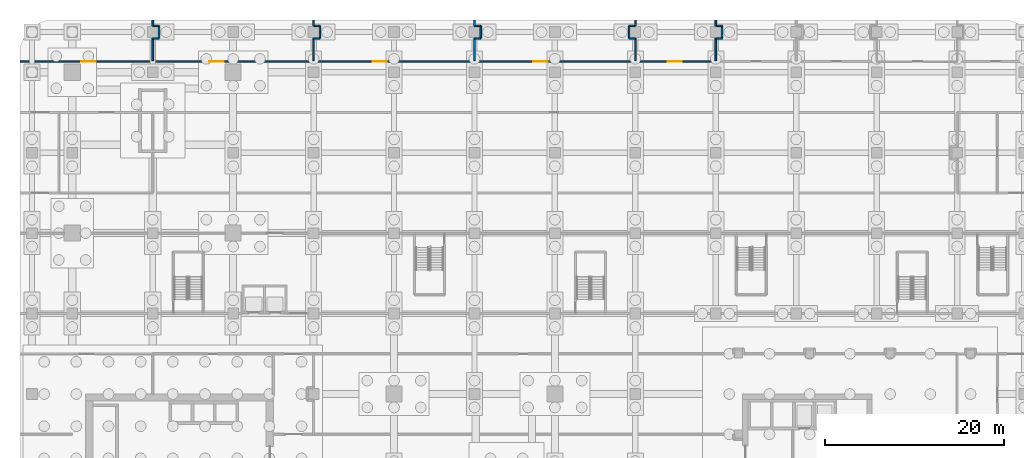
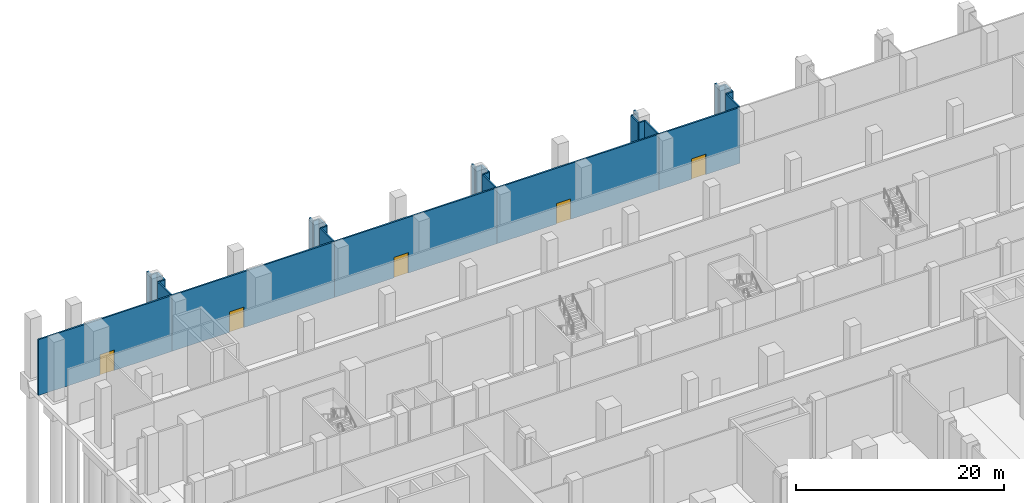
# One storey, part 16 of 23: 30 walls, 5 doors, 5 openings.
"""IFC4 building model written with IfcOpenShell, lengths in metres."""

from ifc_helpers import new_model, si_unit, direction, frame, frame_2d, origin, place, context, subcontext, project, spatial, rectangle, extrude, material, layer, layer_set, type_object, element, fill, save


model = new_model("IFC4")

# Units and contexts
model_context = context("Model", 3, precision=1e-05, world=origin(), true_north=direction((0.0, 1.0)))
body_context = subcontext(model_context, "Body", "Model", "MODEL_VIEW")
ifc_project = project(units=[si_unit("LENGTHUNIT", "METRE"), si_unit("AREAUNIT", "SQUARE_METRE"), si_unit("VOLUMEUNIT", "CUBIC_METRE"), si_unit("PLANEANGLEUNIT", "RADIAN"), si_unit("MASSUNIT", "GRAM", prefix="KILO")], contexts=[model_context])

# Site, building, storey
site_placement = place(None, origin())
site = spatial("IfcSite", under=ifc_project, at=site_placement, CompositionType="ELEMENT")
building_placement = place(site_placement, origin())
building = spatial("IfcBuilding", under=site, at=building_placement, Name="Plateau Cross Towers", CompositionType="ELEMENT")
storey_placement = place(building_placement, frame((0.0, 0.0, -7.0)))
storey = spatial("IfcBuildingStorey", under=building, at=storey_placement, Name="B1", CompositionType="ELEMENT", Elevation=-7.0)

# Wall, opening, door
ifc_material_1 = material(Name="Dense masonry block, plastered, acoustic lining", Category="masonry")
ifc_layer = layer(ifc_material_1, 0.179931640625)
ifc_layer_set = layer_set([ifc_layer], Name="Dense masonry block, plastered, acoustic lining")
wall_type = type_object("IfcWallType", Name="Plant room acoustic wall 180", PredefinedType="PARTITIONING", material=ifc_layer_set)
wall_1_placement = place(storey_placement, frame((45.0, 55.199951171875, 0.0), z_axis=(0.0, 0.0, 1.0), x_axis=(1.0, 0.0, 0.0)))
wall_1 = element("IfcWall", 1, at=wall_1_placement, inside=storey, type_object=wall_type, Name="Partition wall", PredefinedType="PARTITIONING", context=body_context, shape_type="SweptSolid", body=[
    extrude(rectangle(XDim=18.0, YDim=0.179931640625, at=frame_2d((9.0, 0.0))), origin(), (0.0, 0.0, 1.0), 6.550048828125),
])
opening_1_placement = place(wall_1_placement, frame((6.60009765625, 0.0, 0.0)))
opening_1 = element("IfcOpeningElement", 2, at=opening_1_placement, cuts=wall_1, Name="Opening B1-23", PredefinedType="OPENING", context=body_context, shape_type="SweptSolid", body=[
    extrude(rectangle(XDim=1.60009765625, YDim=2.39990234375, at=frame_2d((0.800048828125, 1.199951171875))), frame((0.0, 0.099853515625, 0.0), z_axis=(0.0, -1.0, 0.0), x_axis=(1.0, 0.0, 0.0)), (0.0, 0.0, 1.0), 0.199951171875),
])
ifc_material_2 = material(Name="Steel, fire-resisting double leaf with louvre panel", Category="steel")
door_type = type_object("IfcDoorType", Name="Plant room double door 1600x2400", OperationType="NOTDEFINED", PredefinedType="DOOR", material=ifc_material_2)
door_1_placement = place(opening_1_placement, origin())
door_1 = element("IfcDoor", 3, at=door_1_placement, inside=storey, type_object=door_type, Name="Door B1-23", OperationType="SINGLE_SWING_LEFT", OverallHeight=2.39990234375, OverallWidth=1.60009765625, PredefinedType="DOOR", context=body_context, shape_type="SweptSolid", body=[
    extrude(rectangle(XDim=1.60009765625, YDim=2.39990234375, at=frame_2d((0.800048828125, 1.199951171875))), frame((0.0, 0.02490234375, 0.0), z_axis=(0.0, -1.0, 0.0), x_axis=(1.0, 0.0, 0.0)), (0.0, 0.0, 1.0), 0.050048828125),
])
fill(opening_1, door_1)

wall_2_placement = place(storey_placement, frame((27.0, 55.199951171875, 0.0), z_axis=(0.0, 0.0, 1.0), x_axis=(1.0, 0.0, 0.0)))
wall_2 = element("IfcWall", 4, at=wall_2_placement, inside=storey, type_object=wall_type, Name="Partition wall", PredefinedType="PARTITIONING", context=body_context, shape_type="SweptSolid", body=[
    extrude(rectangle(XDim=18.0, YDim=0.179931640625, at=frame_2d((9.0, 0.0))), origin(), (0.0, 0.0, 1.0), 6.550048828125),
])
opening_2_placement = place(wall_2_placement, frame((6.60009765625, 0.0, 0.0)))
opening_2 = element("IfcOpeningElement", 5, at=opening_2_placement, cuts=wall_2, Name="Opening B1-22", PredefinedType="OPENING", context=body_context, shape_type="SweptSolid", body=[
    extrude(rectangle(XDim=1.60009765625, YDim=2.39990234375, at=frame_2d((0.800048828125, 1.199951171875))), frame((0.0, 0.099853515625, 0.0), z_axis=(0.0, -1.0, 0.0), x_axis=(1.0, 0.0, 0.0)), (0.0, 0.0, 1.0), 0.199951171875),
])
door_2_placement = place(opening_2_placement, origin())
door_2 = element("IfcDoor", 6, at=door_2_placement, inside=storey, type_object=door_type, Name="Door B1-22", OperationType="SINGLE_SWING_LEFT", OverallHeight=2.39990234375, OverallWidth=1.60009765625, PredefinedType="DOOR", context=body_context, shape_type="SweptSolid", body=[
    extrude(rectangle(XDim=1.60009765625, YDim=2.39990234375, at=frame_2d((0.800048828125, 1.199951171875))), frame((0.0, 0.02490234375, 0.0), z_axis=(0.0, -1.0, 0.0), x_axis=(1.0, 0.0, 0.0)), (0.0, 0.0, 1.0), 0.050048828125),
])
fill(opening_2, door_2)

wall_3_placement = place(storey_placement, frame((9.0, 55.199951171875, 0.0), z_axis=(0.0, 0.0, 1.0), x_axis=(1.0, 0.0, 0.0)))
wall_3 = element("IfcWall", 7, at=wall_3_placement, inside=storey, type_object=wall_type, Name="Partition wall", PredefinedType="PARTITIONING", context=body_context, shape_type="SweptSolid", body=[
    extrude(rectangle(XDim=18.0, YDim=0.179931640625, at=frame_2d((9.0, 0.0))), origin(), (0.0, 0.0, 1.0), 6.550048828125),
])
opening_3_placement = place(wall_3_placement, frame((6.35009765625, 0.0, 0.0)))
opening_3 = element("IfcOpeningElement", 8, at=opening_3_placement, cuts=wall_3, Name="Opening B1-21", PredefinedType="OPENING", context=body_context, shape_type="SweptSolid", body=[
    extrude(rectangle(XDim=1.60009765625, YDim=2.39990234375, at=frame_2d((0.800048828125, 1.199951171875))), frame((0.0, 0.099853515625, 0.0), z_axis=(0.0, -1.0, 0.0), x_axis=(1.0, 0.0, 0.0)), (0.0, 0.0, 1.0), 0.199951171875),
])
door_3_placement = place(opening_3_placement, origin())
door_3 = element("IfcDoor", 9, at=door_3_placement, inside=storey, type_object=door_type, Name="Door B1-21", OperationType="SINGLE_SWING_LEFT", OverallHeight=2.39990234375, OverallWidth=1.60009765625, PredefinedType="DOOR", context=body_context, shape_type="SweptSolid", body=[
    extrude(rectangle(XDim=1.60009765625, YDim=2.39990234375, at=frame_2d((0.800048828125, 1.199951171875))), frame((0.0, 0.02490234375, 0.0), z_axis=(0.0, -1.0, 0.0), x_axis=(1.0, 0.0, 0.0)), (0.0, 0.0, 1.0), 0.050048828125),
])
fill(opening_3, door_3)

wall_4_placement = place(storey_placement, frame((-5.85009765625, 55.199951171875, 0.0), z_axis=(0.0, 0.0, 1.0), x_axis=(1.0, 0.0, 0.0)))
wall_4 = element("IfcWall", 10, at=wall_4_placement, inside=storey, type_object=wall_type, Name="Partition wall", PredefinedType="PARTITIONING", context=body_context, shape_type="SweptSolid", body=[
    extrude(rectangle(XDim=14.85009765625, YDim=0.179931640625, at=frame_2d((7.425048828125, 0.0))), origin(), (0.0, 0.0, 1.0), 6.550048828125),
])
opening_4_placement = place(wall_4_placement, frame((6.85009765625, 0.0, 0.0)))
opening_4 = element("IfcOpeningElement", 11, at=opening_4_placement, cuts=wall_4, Name="Opening B1-20", PredefinedType="OPENING", context=body_context, shape_type="SweptSolid", body=[
    extrude(rectangle(XDim=1.60009765625, YDim=2.39990234375, at=frame_2d((0.800048828125, 1.199951171875))), frame((0.0, 0.099853515625, 0.0), z_axis=(0.0, -1.0, 0.0), x_axis=(1.0, 0.0, 0.0)), (0.0, 0.0, 1.0), 0.199951171875),
])
door_4_placement = place(opening_4_placement, origin())
door_4 = element("IfcDoor", 12, at=door_4_placement, inside=storey, type_object=door_type, Name="Door B1-20", OperationType="SINGLE_SWING_LEFT", OverallHeight=2.39990234375, OverallWidth=1.60009765625, PredefinedType="DOOR", context=body_context, shape_type="SweptSolid", body=[
    extrude(rectangle(XDim=1.60009765625, YDim=2.39990234375, at=frame_2d((0.800048828125, 1.199951171875))), frame((0.0, 0.02490234375, 0.0), z_axis=(0.0, -1.0, 0.0), x_axis=(1.0, 0.0, 0.0)), (0.0, 0.0, 1.0), 0.050048828125),
])
fill(opening_4, door_4)

wall_5_placement = place(storey_placement, frame((63.0, 55.199951171875, 0.0), z_axis=(0.0, 0.0, 1.0), x_axis=(1.0, 0.0, 0.0)))
wall_5 = element("IfcWall", 13, at=wall_5_placement, inside=storey, type_object=wall_type, Name="Partition wall", PredefinedType="PARTITIONING", context=body_context, shape_type="SweptSolid", body=[
    extrude(rectangle(XDim=9.0, YDim=0.179931640625, at=frame_2d((4.5, 0.0))), origin(), (0.0, 0.0, 1.0), 6.550048828125),
])
opening_5_placement = place(wall_5_placement, frame((3.60009765625, 0.0, 0.0)))
opening_5 = element("IfcOpeningElement", 14, at=opening_5_placement, cuts=wall_5, Name="Opening B1-24", PredefinedType="OPENING", context=body_context, shape_type="SweptSolid", body=[
    extrude(rectangle(XDim=1.60009765625, YDim=2.39990234375, at=frame_2d((0.800048828125, 1.199951171875))), frame((0.0, 0.099853515625, 0.0), z_axis=(0.0, -1.0, 0.0), x_axis=(1.0, 0.0, 0.0)), (0.0, 0.0, 1.0), 0.199951171875),
])
door_5_placement = place(opening_5_placement, origin())
door_5 = element("IfcDoor", 15, at=door_5_placement, inside=storey, type_object=door_type, Name="Door B1-24", OperationType="SINGLE_SWING_LEFT", OverallHeight=2.39990234375, OverallWidth=1.60009765625, PredefinedType="DOOR", context=body_context, shape_type="SweptSolid", body=[
    extrude(rectangle(XDim=1.60009765625, YDim=2.39990234375, at=frame_2d((0.800048828125, 1.199951171875))), frame((0.0, 0.02490234375, 0.0), z_axis=(0.0, -1.0, 0.0), x_axis=(1.0, 0.0, 0.0)), (0.0, 0.0, 1.0), 0.050048828125),
])
fill(opening_5, door_5)

# Walls
wall_6_placement = place(storey_placement, frame((63.0, 59.85009765625, 0.0), z_axis=(0.0, 0.0, 1.0), x_axis=(0.0, -1.0, 0.0)))
element("IfcWall", 16, at=wall_6_placement, inside=storey, type_object=wall_type, Name="Partition wall", PredefinedType="PARTITIONING", context=body_context, shape_type="SweptSolid", body=[
    extrude(rectangle(XDim=0.650146484375, YDim=0.179931640625, at=frame_2d((0.3251953125, 0.0))), origin(), (0.0, 0.0, 1.0), 6.550048828125),
])
wall_7_placement = place(storey_placement, frame((63.0, 59.199951171875, 0.0), z_axis=(0.0, 0.0, 1.0), x_axis=(-1.0, 0.0, 0.0)))
element("IfcWall", 17, at=wall_7_placement, inside=storey, type_object=wall_type, Name="Partition wall", PredefinedType="PARTITIONING", context=body_context, shape_type="SweptSolid", body=[
    extrude(rectangle(XDim=0.699951171875, YDim=0.179931640625, at=frame_2d((0.35009765625, 0.0))), origin(), (0.0, 0.0, 1.0), 6.550048828125),
])
wall_8_placement = place(storey_placement, frame((62.300048828125, 59.199951171875, 0.0), z_axis=(0.0, 0.0, 1.0), x_axis=(0.0, -1.0, 0.0)))
element("IfcWall", 18, at=wall_8_placement, inside=storey, type_object=wall_type, Name="Partition wall", PredefinedType="PARTITIONING", context=body_context, shape_type="SweptSolid", body=[
    extrude(rectangle(XDim=1.39990234375, YDim=0.179931640625, at=frame_2d((0.699951171875, 0.0))), origin(), (0.0, 0.0, 1.0), 6.550048828125),
])
wall_9_placement = place(storey_placement, frame((62.300048828125, 57.800048828125, 0.0), z_axis=(0.0, 0.0, 1.0), x_axis=(1.0, 0.0, 0.0)))
element("IfcWall", 19, at=wall_9_placement, inside=storey, type_object=wall_type, Name="Partition wall", PredefinedType="PARTITIONING", context=body_context, shape_type="SweptSolid", body=[
    extrude(rectangle(XDim=0.699951171875, YDim=0.179931640625, at=frame_2d((0.35009765625, 0.0))), origin(), (0.0, 0.0, 1.0), 6.550048828125),
])
wall_10_placement = place(storey_placement, frame((63.0, 57.800048828125, 0.0), z_axis=(0.0, 0.0, 1.0), x_axis=(0.0, -1.0, 0.0)))
element("IfcWall", 20, at=wall_10_placement, inside=storey, type_object=wall_type, Name="Partition wall", PredefinedType="PARTITIONING", context=body_context, shape_type="SweptSolid", body=[
    extrude(rectangle(XDim=2.5, YDim=0.179931640625, at=frame_2d((1.25, 0.0))), origin(), (0.0, 0.0, 1.0), 6.550048828125),
])
wall_11_placement = place(storey_placement, frame((45.0, 59.85009765625, 0.0), z_axis=(0.0, 0.0, 1.0), x_axis=(0.0, -1.0, 0.0)))
element("IfcWall", 21, at=wall_11_placement, inside=storey, type_object=wall_type, Name="Partition wall", PredefinedType="PARTITIONING", context=body_context, shape_type="SweptSolid", body=[
    extrude(rectangle(XDim=0.650146484375, YDim=0.179931640625, at=frame_2d((0.3251953125, 0.0))), origin(), (0.0, 0.0, 1.0), 6.550048828125),
])
wall_12_placement = place(storey_placement, frame((45.0, 59.199951171875, 0.0), z_axis=(0.0, 0.0, 1.0), x_axis=(1.0, 0.0, 0.0)))
element("IfcWall", 22, at=wall_12_placement, inside=storey, type_object=wall_type, Name="Partition wall", PredefinedType="PARTITIONING", context=body_context, shape_type="SweptSolid", body=[
    extrude(rectangle(XDim=0.699951171875, YDim=0.179931640625, at=frame_2d((0.35009765625, 0.0))), origin(), (0.0, 0.0, 1.0), 6.550048828125),
])
wall_13_placement = place(storey_placement, frame((45.699951171875, 59.199951171875, 0.0), z_axis=(0.0, 0.0, 1.0), x_axis=(0.0, -1.0, 0.0)))
element("IfcWall", 23, at=wall_13_placement, inside=storey, type_object=wall_type, Name="Partition wall", PredefinedType="PARTITIONING", context=body_context, shape_type="SweptSolid", body=[
    extrude(rectangle(XDim=1.39990234375, YDim=0.179931640625, at=frame_2d((0.699951171875, 0.0))), origin(), (0.0, 0.0, 1.0), 6.550048828125),
])
wall_14_placement = place(storey_placement, frame((45.699951171875, 57.800048828125, 0.0), z_axis=(0.0, 0.0, 1.0), x_axis=(-1.0, 0.0, 0.0)))
element("IfcWall", 24, at=wall_14_placement, inside=storey, type_object=wall_type, Name="Partition wall", PredefinedType="PARTITIONING", context=body_context, shape_type="SweptSolid", body=[
    extrude(rectangle(XDim=0.699951171875, YDim=0.179931640625, at=frame_2d((0.35009765625, 0.0))), origin(), (0.0, 0.0, 1.0), 6.550048828125),
])
wall_15_placement = place(storey_placement, frame((45.0, 57.800048828125, 0.0), z_axis=(0.0, 0.0, 1.0), x_axis=(0.0, -1.0, 0.0)))
element("IfcWall", 25, at=wall_15_placement, inside=storey, type_object=wall_type, Name="Partition wall", PredefinedType="PARTITIONING", context=body_context, shape_type="SweptSolid", body=[
    extrude(rectangle(XDim=2.5, YDim=0.179931640625, at=frame_2d((1.25, 0.0))), origin(), (0.0, 0.0, 1.0), 6.550048828125),
])
wall_16_placement = place(storey_placement, frame((27.0, 59.85009765625, 0.0), z_axis=(0.0, 0.0, 1.0), x_axis=(0.0, -1.0, 0.0)))
element("IfcWall", 26, at=wall_16_placement, inside=storey, type_object=wall_type, Name="Partition wall", PredefinedType="PARTITIONING", context=body_context, shape_type="SweptSolid", body=[
    extrude(rectangle(XDim=0.650146484375, YDim=0.179931640625, at=frame_2d((0.3251953125, 0.0))), origin(), (0.0, 0.0, 1.0), 6.550048828125),
])
wall_17_placement = place(storey_placement, frame((27.0, 59.199951171875, 0.0), z_axis=(0.0, 0.0, 1.0), x_axis=(1.0, 0.0, 0.0)))
element("IfcWall", 27, at=wall_17_placement, inside=storey, type_object=wall_type, Name="Partition wall", PredefinedType="PARTITIONING", context=body_context, shape_type="SweptSolid", body=[
    extrude(rectangle(XDim=0.699951171875, YDim=0.179931640625, at=frame_2d((0.35009765625, 0.0))), origin(), (0.0, 0.0, 1.0), 6.550048828125),
])
wall_18_placement = place(storey_placement, frame((27.699951171875, 59.199951171875, 0.0), z_axis=(0.0, 0.0, 1.0), x_axis=(0.0, -1.0, 0.0)))
element("IfcWall", 28, at=wall_18_placement, inside=storey, type_object=wall_type, Name="Partition wall", PredefinedType="PARTITIONING", context=body_context, shape_type="SweptSolid", body=[
    extrude(rectangle(XDim=1.39990234375, YDim=0.179931640625, at=frame_2d((0.699951171875, 0.0))), origin(), (0.0, 0.0, 1.0), 6.550048828125),
])
wall_19_placement = place(storey_placement, frame((27.699951171875, 57.800048828125, 0.0), z_axis=(0.0, 0.0, 1.0), x_axis=(-1.0, 0.0, 0.0)))
element("IfcWall", 29, at=wall_19_placement, inside=storey, type_object=wall_type, Name="Partition wall", PredefinedType="PARTITIONING", context=body_context, shape_type="SweptSolid", body=[
    extrude(rectangle(XDim=0.699951171875, YDim=0.179931640625, at=frame_2d((0.35009765625, 0.0))), origin(), (0.0, 0.0, 1.0), 6.550048828125),
])
wall_20_placement = place(storey_placement, frame((27.0, 57.800048828125, 0.0), z_axis=(0.0, 0.0, 1.0), x_axis=(0.0, -1.0, 0.0)))
element("IfcWall", 30, at=wall_20_placement, inside=storey, type_object=wall_type, Name="Partition wall", PredefinedType="PARTITIONING", context=body_context, shape_type="SweptSolid", body=[
    extrude(rectangle(XDim=2.5, YDim=0.179931640625, at=frame_2d((1.25, 0.0))), origin(), (0.0, 0.0, 1.0), 6.550048828125),
])
wall_21_placement = place(storey_placement, frame((9.0, 59.85009765625, 0.0), z_axis=(0.0, 0.0, 1.0), x_axis=(0.0, -1.0, 0.0)))
element("IfcWall", 31, at=wall_21_placement, inside=storey, type_object=wall_type, Name="Partition wall", PredefinedType="PARTITIONING", context=body_context, shape_type="SweptSolid", body=[
    extrude(rectangle(XDim=0.650146484375, YDim=0.179931640625, at=frame_2d((0.3251953125, 0.0))), origin(), (0.0, 0.0, 1.0), 6.550048828125),
])
wall_22_placement = place(storey_placement, frame((9.0, 59.199951171875, 0.0), z_axis=(0.0, 0.0, 1.0), x_axis=(1.0, 0.0, 0.0)))
element("IfcWall", 32, at=wall_22_placement, inside=storey, type_object=wall_type, Name="Partition wall", PredefinedType="PARTITIONING", context=body_context, shape_type="SweptSolid", body=[
    extrude(rectangle(XDim=0.699951171875, YDim=0.179931640625, at=frame_2d((0.35009765625, 0.0))), origin(), (0.0, 0.0, 1.0), 6.550048828125),
])
wall_23_placement = place(storey_placement, frame((9.699951171875, 59.199951171875, 0.0), z_axis=(0.0, 0.0, 1.0), x_axis=(0.0, -1.0, 0.0)))
element("IfcWall", 33, at=wall_23_placement, inside=storey, type_object=wall_type, Name="Partition wall", PredefinedType="PARTITIONING", context=body_context, shape_type="SweptSolid", body=[
    extrude(rectangle(XDim=1.39990234375, YDim=0.179931640625, at=frame_2d((0.699951171875, 0.0))), origin(), (0.0, 0.0, 1.0), 6.550048828125),
])
wall_24_placement = place(storey_placement, frame((9.699951171875, 57.800048828125, 0.0), z_axis=(0.0, 0.0, 1.0), x_axis=(-1.0, 0.0, 0.0)))
element("IfcWall", 34, at=wall_24_placement, inside=storey, type_object=wall_type, Name="Partition wall", PredefinedType="PARTITIONING", context=body_context, shape_type="SweptSolid", body=[
    extrude(rectangle(XDim=0.699951171875, YDim=0.179931640625, at=frame_2d((0.35009765625, 0.0))), origin(), (0.0, 0.0, 1.0), 6.550048828125),
])
wall_25_placement = place(storey_placement, frame((9.0, 57.800048828125, 0.0), z_axis=(0.0, 0.0, 1.0), x_axis=(0.0, -1.0, 0.0)))
element("IfcWall", 35, at=wall_25_placement, inside=storey, type_object=wall_type, Name="Partition wall", PredefinedType="PARTITIONING", context=body_context, shape_type="SweptSolid", body=[
    extrude(rectangle(XDim=2.5, YDim=0.179931640625, at=frame_2d((1.25, 0.0))), origin(), (0.0, 0.0, 1.0), 6.550048828125),
])
wall_26_placement = place(storey_placement, frame((72.0, 59.85009765625, 0.0), z_axis=(0.0, 0.0, 1.0), x_axis=(0.0, -1.0, 0.0)))
element("IfcWall", 36, at=wall_26_placement, inside=storey, type_object=wall_type, Name="Partition wall", PredefinedType="PARTITIONING", context=body_context, shape_type="SweptSolid", body=[
    extrude(rectangle(XDim=0.650146484375, YDim=0.179931640625, at=frame_2d((0.3251953125, 0.0))), origin(), (0.0, 0.0, 1.0), 6.550048828125),
])
wall_27_placement = place(storey_placement, frame((72.0, 59.199951171875, 0.0), z_axis=(0.0, 0.0, 1.0), x_axis=(1.0, 0.0, 0.0)))
element("IfcWall", 37, at=wall_27_placement, inside=storey, type_object=wall_type, Name="Partition wall", PredefinedType="PARTITIONING", context=body_context, shape_type="SweptSolid", body=[
    extrude(rectangle(XDim=0.699951171875, YDim=0.179931640625, at=frame_2d((0.35009765625, 0.0))), origin(), (0.0, 0.0, 1.0), 6.550048828125),
])
wall_28_placement = place(storey_placement, frame((72.699951171875, 59.199951171875, 0.0), z_axis=(0.0, 0.0, 1.0), x_axis=(0.0, -1.0, 0.0)))
element("IfcWall", 38, at=wall_28_placement, inside=storey, type_object=wall_type, Name="Partition wall", PredefinedType="PARTITIONING", context=body_context, shape_type="SweptSolid", body=[
    extrude(rectangle(XDim=1.39990234375, YDim=0.179931640625, at=frame_2d((0.699951171875, 0.0))), origin(), (0.0, 0.0, 1.0), 6.550048828125),
])
wall_29_placement = place(storey_placement, frame((72.699951171875, 57.800048828125, 0.0), z_axis=(0.0, 0.0, 1.0), x_axis=(-1.0, 0.0, 0.0)))
element("IfcWall", 39, at=wall_29_placement, inside=storey, type_object=wall_type, Name="Partition wall", PredefinedType="PARTITIONING", context=body_context, shape_type="SweptSolid", body=[
    extrude(rectangle(XDim=0.699951171875, YDim=0.179931640625, at=frame_2d((0.35009765625, 0.0))), origin(), (0.0, 0.0, 1.0), 6.550048828125),
])
wall_30_placement = place(storey_placement, frame((72.0, 57.800048828125, 0.0), z_axis=(0.0, 0.0, 1.0), x_axis=(0.0, -1.0, 0.0)))
element("IfcWall", 40, at=wall_30_placement, inside=storey, type_object=wall_type, Name="Partition wall", PredefinedType="PARTITIONING", context=body_context, shape_type="SweptSolid", body=[
    extrude(rectangle(XDim=2.5, YDim=0.179931640625, at=frame_2d((1.25, 0.0))), origin(), (0.0, 0.0, 1.0), 6.550048828125),
])

save(model, "model.ifc")
